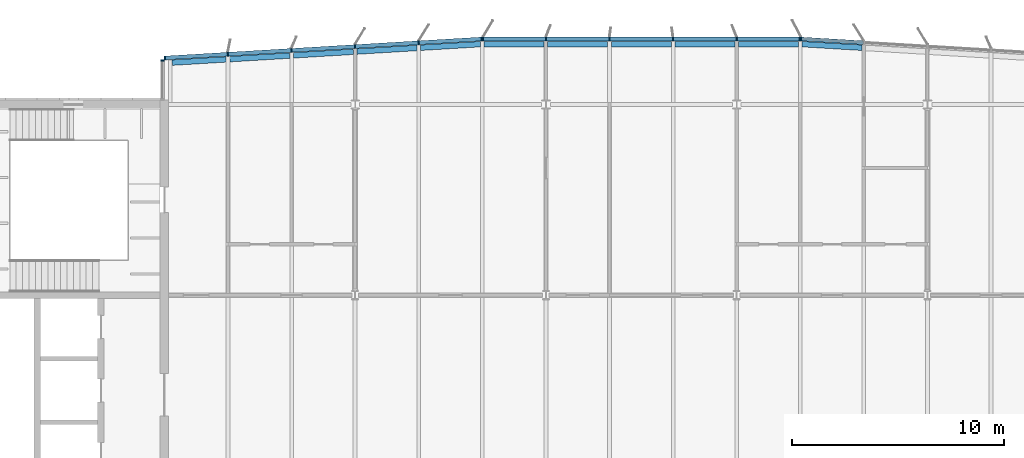
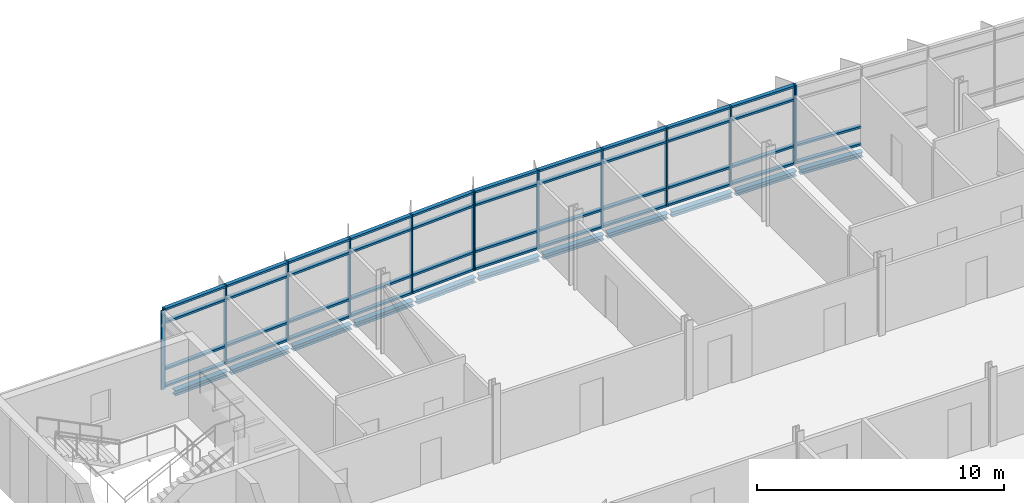
# One storey, part 8 of 18: 56 members, 11 beams, 4 elements without a shape of their own.
"""IFC4 building model written with IfcOpenShell, lengths in metres."""

from ifc_helpers import new_model, si_unit, direction, frame, origin, origin_2d, place, context, subcontext, project, spatial, rectangle, i_section, extrude, material, material_profile, profile_set, type_object, element, aggregate, save


model = new_model("IFC4")

# Units and contexts
model_context = context("Model", 3, precision=1e-05, world=origin(), true_north=direction((0.0, 1.0)))
body_context = subcontext(model_context, "Body", "Model", "MODEL_VIEW")
ifc_project = project(units=[si_unit("LENGTHUNIT", "METRE"), si_unit("AREAUNIT", "SQUARE_METRE"), si_unit("VOLUMEUNIT", "CUBIC_METRE"), si_unit("PLANEANGLEUNIT", "RADIAN"), si_unit("MASSUNIT", "GRAM", prefix="KILO")], contexts=[model_context])

# Site, building, storey
site_placement = place(None, origin())
site = spatial("IfcSite", under=ifc_project, at=site_placement, CompositionType="ELEMENT")
building_placement = place(site_placement, origin())
building = spatial("IfcBuilding", under=site, at=building_placement, Name="Azimuth Sports and Learning Centre", CompositionType="ELEMENT")
storey_placement = place(building_placement, frame((0.0, 0.0, 63.60009765625)))
storey = spatial("IfcBuildingStorey", under=building, at=storey_placement, Name="L14", CompositionType="ELEMENT", Elevation=63.60009765625)

# Beams
ifc_material_1 = material(Name="Steel S355", Category="steel")
ifc_material_profile_1 = material_profile(ifc_material_1, i_section(OverallWidth=0.260009765625, OverallDepth=0.25, WebThickness=0.007568359375, FlangeThickness=0.012451171875, FilletRadius=0.02392578125, at=origin_2d()), Name="HEA 260")
ifc_profile_set_1 = profile_set([ifc_material_profile_1], Name="Steel S355")
beam_type = type_object("IfcBeamType", Name="Edge beam HEA 260", PredefinedType="SPANDREL", material=ifc_profile_set_1)
beam_1_placement = place(storey_placement, frame((63.3701171875, 118.97216796875, -0.255126953125), z_axis=(0.998201638043, 0.05994572385, 0.0), x_axis=(-0.05994572385, 0.998201638043, 0.0)))
element("IfcBeam", 1, at=beam_1_placement, inside=storey, type_object=beam_type, Name="Tower edge beam", PredefinedType="SPANDREL", context=body_context, shape_type="SweptSolid", body=[
    extrude(i_section(OverallWidth=0.260009765625, OverallDepth=0.25, WebThickness=0.007568359375, FlangeThickness=0.012451171875, FilletRadius=0.02392578125, at=origin_2d()), origin(), (0.0, 0.0, 1.0), 2.549560546875),
])
for number, where, z_axis, x_axis, name in (
    (2, (66.0849609375, 119.135009765625, -0.255126953125), (0.998202373506, 0.059933475842, 0.0), (-0.059933475842, 0.998202373506, 0.0), "Tower edge beam"),
    (3, (69.0849609375, 119.315185546875, -0.255126953125), (0.998207521518, 0.059847673176, 0.0), (-0.059847673176, 0.998207521518, 0.0), "Tower edge beam"),
    (4, (72.0849609375, 119.4951171875, -0.255126953125), (0.998207521518, 0.059847673176, 0.0), (-0.059847673176, 0.998207521518, 0.0), "Tower edge beam"),
    (5, (75.0849609375, 119.675048828125, -0.255126953125), (0.998202373506, 0.059933475842, 0.0), (-0.059933475842, 0.998202373506, 0.0), "Tower edge beam"),
):
    element("IfcBeam", number, at=place(storey_placement, frame(where, z_axis=z_axis, x_axis=x_axis)), inside=storey, type_object=beam_type, Name=name, PredefinedType="SPANDREL", context=body_context, shape_type="SweptSolid", body=[
        extrude(i_section(OverallWidth=0.260009765625, OverallDepth=0.25, WebThickness=0.007568359375, FlangeThickness=0.012451171875, FilletRadius=0.02392578125, at=origin_2d()), origin(), (0.0, 0.0, 1.0), 2.835205078125),
    ])
for number, where, z_axis, x_axis, name in (
    (6, (78.0849609375, 119.85009765625, -0.255126953125), (1.0, 0.0, 0.0), (0.0, 1.0, 0.0), "Tower edge beam"),
    (7, (81.0849609375, 119.85009765625, -0.255126953125), (1.0, 0.0, 0.0), (0.0, 1.0, 0.0), "Tower edge beam"),
    (8, (84.0849609375, 119.85009765625, -0.255126953125), (1.0, 0.0, 0.0), (0.0, 1.0, 0.0), "Tower edge beam"),
    (9, (87.0849609375, 119.85009765625, -0.255126953125), (1.0, 0.0, 0.0), (0.0, 1.0, 0.0), "Tower edge beam"),
    (10, (90.0849609375, 119.85009765625, -0.255126953125), (1.0, 0.0, 0.0), (0.0, 1.0, 0.0), "Tower edge beam"),
):
    element("IfcBeam", number, at=place(storey_placement, frame(where, z_axis=z_axis, x_axis=x_axis)), inside=storey, type_object=beam_type, Name=name, PredefinedType="SPANDREL", context=body_context, shape_type="SweptSolid", body=[
        extrude(i_section(OverallWidth=0.260009765625, OverallDepth=0.25, WebThickness=0.007568359375, FlangeThickness=0.012451171875, FilletRadius=0.02392578125, at=origin_2d()), origin(), (0.0, 0.0, 1.0), 2.830078125),
    ])
beam_2_placement = place(storey_placement, frame((93.0849609375, 119.844970703125, -0.255126953125), z_axis=(0.998202373506, -0.059933475842, 0.0), x_axis=(0.059933475842, 0.998202373506, 0.0)))
element("IfcBeam", 11, at=beam_2_placement, inside=storey, type_object=beam_type, Name="Tower edge beam", PredefinedType="SPANDREL", context=body_context, shape_type="SweptSolid", body=[
    extrude(i_section(OverallWidth=0.260009765625, OverallDepth=0.25, WebThickness=0.007568359375, FlangeThickness=0.012451171875, FilletRadius=0.02392578125, at=origin_2d()), origin(), (0.0, 0.0, 1.0), 2.835205078125),
])

# Curtain wall, member
ifc_material_2 = material(Name="Aluminium and glass", Category="aluminium")
curtain_wall_type_1 = type_object("IfcCurtainWallType", Name="Curtain wall tower north 180", PredefinedType="NOTDEFINED", material=ifc_material_2)
curtain_wall_1_placement = place(storey_placement, origin())
curtain_wall_1 = element("IfcCurtainWall", 12, at=curtain_wall_1_placement, inside=storey, type_object=curtain_wall_type_1, Name="Curtain wall CW14-007", PredefinedType="NOTDEFINED")
ifc_material_3 = material(Name="Aluminium", Category="aluminium")
ifc_material_profile_2 = material_profile(ifc_material_3, rectangle(XDim=0.179931640625, YDim=0.06005859375, at=origin_2d()), Name="Mullion 60x180")
ifc_profile_set_2 = profile_set([ifc_material_profile_2], Name="Aluminium")
member_type_1 = type_object("IfcMemberType", Name="Mullion 60x180", PredefinedType="MULLION", material=ifc_profile_set_2)
member_1_placement = place(storey_placement, frame((93.035400390625, 120.088134765625, 0.0), z_axis=(0.0, 0.0, 1.0), x_axis=(-0.059891991812, -0.998204863401, 0.0)))
member_1 = element("IfcMember", 13, at=member_1_placement, type_object=member_type_1, Name="CW14-007 mullion 6", PredefinedType="MULLION", context=body_context, shape_type="SweptSolid", body=[
    extrude(rectangle(XDim=0.179931640625, YDim=0.06005859375, at=origin_2d()), origin(), (0.0, 0.0, 1.0), 3.89990234375),
])

# Curtain wall, members
curtain_wall_2_placement = place(storey_placement, origin())
curtain_wall_2 = element("IfcCurtainWall", 14, at=curtain_wall_2_placement, inside=storey, type_object=curtain_wall_type_1, Name="Curtain wall CW14-008", PredefinedType="NOTDEFINED")
member_2_placement = place(storey_placement, frame((92.975341796875, 120.090087890625, 0.0), z_axis=(0.0, 0.0, 1.0), x_axis=(0.0, -1.0, 0.0)))
member_2 = element("IfcMember", 15, at=member_2_placement, type_object=member_type_1, Name="CW14-008 mullion 1", PredefinedType="MULLION", context=body_context, shape_type="SweptSolid", body=[
    extrude(rectangle(XDim=0.179931640625, YDim=0.06005859375, at=origin_2d()), origin(), (0.0, 0.0, 1.0), 3.89990234375),
])
member_3_placement = place(storey_placement, frame((90.0, 120.090087890625, 0.0), z_axis=(0.0, 0.0, 1.0), x_axis=(0.0, -1.0, 0.0)))
member_3 = element("IfcMember", 16, at=member_3_placement, type_object=member_type_1, Name="CW14-008 mullion 2", PredefinedType="MULLION", context=body_context, shape_type="SweptSolid", body=[
    extrude(rectangle(XDim=0.179931640625, YDim=0.06005859375, at=origin_2d()), origin(), (0.0, 0.0, 1.0), 3.89990234375),
])
member_4_placement = place(storey_placement, frame((87.0, 120.090087890625, 0.0), z_axis=(0.0, 0.0, 1.0), x_axis=(0.0, -1.0, 0.0)))
member_4 = element("IfcMember", 17, at=member_4_placement, type_object=member_type_1, Name="CW14-008 mullion 3", PredefinedType="MULLION", context=body_context, shape_type="SweptSolid", body=[
    extrude(rectangle(XDim=0.179931640625, YDim=0.06005859375, at=origin_2d()), origin(), (0.0, 0.0, 1.0), 3.89990234375),
])
member_5_placement = place(storey_placement, frame((84.0, 120.090087890625, 0.0), z_axis=(0.0, 0.0, 1.0), x_axis=(0.0, -1.0, 0.0)))
member_5 = element("IfcMember", 18, at=member_5_placement, type_object=member_type_1, Name="CW14-008 mullion 4", PredefinedType="MULLION", context=body_context, shape_type="SweptSolid", body=[
    extrude(rectangle(XDim=0.179931640625, YDim=0.06005859375, at=origin_2d()), origin(), (0.0, 0.0, 1.0), 3.89990234375),
])
member_6_placement = place(storey_placement, frame((81.0, 120.090087890625, 0.0), z_axis=(0.0, 0.0, 1.0), x_axis=(0.0, -1.0, 0.0)))
member_6 = element("IfcMember", 19, at=member_6_placement, type_object=member_type_1, Name="CW14-008 mullion 5", PredefinedType="MULLION", context=body_context, shape_type="SweptSolid", body=[
    extrude(rectangle(XDim=0.179931640625, YDim=0.06005859375, at=origin_2d()), origin(), (0.0, 0.0, 1.0), 3.89990234375),
])
member_7_placement = place(storey_placement, frame((78.030029296875, 120.090087890625, 0.0), z_axis=(0.0, 0.0, 1.0), x_axis=(0.0, -1.0, 0.0)))
member_7 = element("IfcMember", 20, at=member_7_placement, type_object=member_type_1, Name="CW14-008 mullion 6", PredefinedType="MULLION", context=body_context, shape_type="SweptSolid", body=[
    extrude(rectangle(XDim=0.179931640625, YDim=0.06005859375, at=origin_2d()), origin(), (0.0, 0.0, 1.0), 3.89990234375),
])

curtain_wall_3_placement = place(storey_placement, origin())
curtain_wall_3 = element("IfcCurtainWall", 21, at=curtain_wall_3_placement, inside=storey, type_object=curtain_wall_type_1, Name="Curtain wall CW14-009", PredefinedType="NOTDEFINED")
member_8_placement = place(storey_placement, frame((77.969970703125, 120.08837890625, 0.0), z_axis=(0.0, 0.0, 1.0), x_axis=(0.059891991812, -0.998204863401, 0.0)))
member_8 = element("IfcMember", 22, at=member_8_placement, type_object=member_type_1, Name="CW14-009 mullion 1", PredefinedType="MULLION", context=body_context, shape_type="SweptSolid", body=[
    extrude(rectangle(XDim=0.179931640625, YDim=0.06005859375, at=origin_2d()), origin(), (0.0, 0.0, 1.0), 3.89990234375),
])
member_9_placement = place(storey_placement, frame((74.99462890625, 119.909912109375, 0.0), z_axis=(0.0, 0.0, 1.0), x_axis=(0.059891991812, -0.998204863401, 0.0)))
member_9 = element("IfcMember", 23, at=member_9_placement, type_object=member_type_1, Name="CW14-009 mullion 2", PredefinedType="MULLION", context=body_context, shape_type="SweptSolid", body=[
    extrude(rectangle(XDim=0.179931640625, YDim=0.06005859375, at=origin_2d()), origin(), (0.0, 0.0, 1.0), 3.89990234375),
])
member_10_placement = place(storey_placement, frame((71.99462890625, 119.729736328125, 0.0), z_axis=(0.0, 0.0, 1.0), x_axis=(0.059891991812, -0.998204863401, 0.0)))
member_10 = element("IfcMember", 24, at=member_10_placement, type_object=member_type_1, Name="CW14-009 mullion 3", PredefinedType="MULLION", context=body_context, shape_type="SweptSolid", body=[
    extrude(rectangle(XDim=0.179931640625, YDim=0.06005859375, at=origin_2d()), origin(), (0.0, 0.0, 1.0), 3.89990234375),
])
member_11_placement = place(storey_placement, frame((68.99462890625, 119.5498046875, 0.0), z_axis=(0.0, 0.0, 1.0), x_axis=(0.059891991812, -0.998204863401, 0.0)))
member_11 = element("IfcMember", 25, at=member_11_placement, type_object=member_type_1, Name="CW14-009 mullion 4", PredefinedType="MULLION", context=body_context, shape_type="SweptSolid", body=[
    extrude(rectangle(XDim=0.179931640625, YDim=0.06005859375, at=origin_2d()), origin(), (0.0, 0.0, 1.0), 3.89990234375),
])
member_12_placement = place(storey_placement, frame((65.99462890625, 119.369873046875, 0.0), z_axis=(0.0, 0.0, 1.0), x_axis=(0.059891991812, -0.998204863401, 0.0)))
member_12 = element("IfcMember", 26, at=member_12_placement, type_object=member_type_1, Name="CW14-009 mullion 5", PredefinedType="MULLION", context=body_context, shape_type="SweptSolid", body=[
    extrude(rectangle(XDim=0.179931640625, YDim=0.06005859375, at=origin_2d()), origin(), (0.0, 0.0, 1.0), 3.89990234375),
])
member_13_placement = place(storey_placement, frame((63.024658203125, 119.191650390625, 0.0), z_axis=(0.0, 0.0, 1.0), x_axis=(0.059891991812, -0.998204863401, 0.0)))
member_13 = element("IfcMember", 27, at=member_13_placement, type_object=member_type_1, Name="CW14-009 mullion 6", PredefinedType="MULLION", context=body_context, shape_type="SweptSolid", body=[
    extrude(rectangle(XDim=0.179931640625, YDim=0.06005859375, at=origin_2d()), origin(), (0.0, 0.0, 1.0), 3.89990234375),
])

# Curtain wall, member
ifc_material_4 = material(Name="Aluminium and glass", Category="aluminium")
curtain_wall_type_2 = type_object("IfcCurtainWallType", Name="Curtain wall tower return 180", PredefinedType="NOTDEFINED", material=ifc_material_4)
curtain_wall_4_placement = place(storey_placement, origin())
curtain_wall_4 = element("IfcCurtainWall", 28, at=curtain_wall_4_placement, inside=storey, type_object=curtain_wall_type_2, Name="Curtain wall CW14-010", PredefinedType="NOTDEFINED")
member_14_placement = place(storey_placement, frame((62.909912109375, 119.070068359375, 0.0), z_axis=(0.0, 0.0, 1.0), x_axis=(1.0, 0.0, 0.0)))
member_14 = element("IfcMember", 29, at=member_14_placement, type_object=member_type_1, Name="CW14-010 mullion 1", PredefinedType="MULLION", context=body_context, shape_type="SweptSolid", body=[
    extrude(rectangle(XDim=0.179931640625, YDim=0.06005859375, at=origin_2d()), origin(), (0.0, 0.0, 1.0), 3.89990234375),
])
aggregate(curtain_wall_4, [member_14])

# Member
ifc_material_5 = material(Name="Aluminium", Category="aluminium")
ifc_material_profile_3 = material_profile(ifc_material_5, rectangle(XDim=0.179931640625, YDim=0.10009765625, at=origin_2d()), Name="Transom 100x180")
ifc_profile_set_3 = profile_set([ifc_material_profile_3], Name="Aluminium")
member_type_2 = type_object("IfcMemberType", Name="Transom 100x180", PredefinedType="USERDEFINED", material=ifc_profile_set_3)
member_15_placement = place(storey_placement, frame((95.975341796875, 119.91162109375, 0.0498046875), z_axis=(-0.998205846627, 0.059875602377, 0.0), x_axis=(-0.059875602377, -0.998205846627, 0.0)))
member_15 = element("IfcMember", 30, at=member_15_placement, type_object=member_type_2, Name="CW14-007 transom 5.1", ObjectType="TRANSOM", PredefinedType="USERDEFINED", context=body_context, shape_type="SweptSolid", body=[
    extrude(rectangle(XDim=0.179931640625, YDim=0.10009765625, at=origin_2d()), origin(), (0.0, 0.0, 1.0), 2.915283203125),
])

member_16_placement = place(storey_placement, frame((95.975341796875, 119.91162109375, 0.89990234375), z_axis=(-0.998205846627, 0.059875602377, 0.0), x_axis=(-0.059875602377, -0.998205846627, 0.0)))
member_16 = element("IfcMember", 31, at=member_16_placement, type_object=member_type_2, Name="CW14-007 transom 5.2", ObjectType="TRANSOM", PredefinedType="USERDEFINED", context=body_context, shape_type="SweptSolid", body=[
    extrude(rectangle(XDim=0.179931640625, YDim=0.10009765625, at=origin_2d()), origin(), (0.0, 0.0, 1.0), 2.915283203125),
])

aggregate(curtain_wall_1, [member_1, member_15, member_16])

member_17_placement = place(storey_placement, frame((92.9453125, 120.090087890625, 0.0498046875), z_axis=(-1.0, 0.0, 0.0), x_axis=(0.0, -1.0, 0.0)))
member_17 = element("IfcMember", 32, at=member_17_placement, type_object=member_type_2, Name="CW14-008 transom 1.1", ObjectType="TRANSOM", PredefinedType="USERDEFINED", context=body_context, shape_type="SweptSolid", body=[
    extrude(rectangle(XDim=0.179931640625, YDim=0.10009765625, at=origin_2d()), origin(), (0.0, 0.0, 1.0), 2.915283203125),
])

member_18_placement = place(storey_placement, frame((92.9453125, 120.090087890625, 0.89990234375), z_axis=(-1.0, 0.0, 0.0), x_axis=(0.0, -1.0, 0.0)))
member_18 = element("IfcMember", 33, at=member_18_placement, type_object=member_type_2, Name="CW14-008 transom 1.2", ObjectType="TRANSOM", PredefinedType="USERDEFINED", context=body_context, shape_type="SweptSolid", body=[
    extrude(rectangle(XDim=0.179931640625, YDim=0.10009765625, at=origin_2d()), origin(), (0.0, 0.0, 1.0), 2.915283203125),
])

member_19_placement = place(storey_placement, frame((92.9453125, 120.090087890625, 3.199951171875), z_axis=(-1.0, 0.0, 0.0), x_axis=(0.0, -1.0, 0.0)))
member_19 = element("IfcMember", 34, at=member_19_placement, type_object=member_type_2, Name="CW14-008 transom 1.3", ObjectType="TRANSOM", PredefinedType="USERDEFINED", context=body_context, shape_type="SweptSolid", body=[
    extrude(rectangle(XDim=0.179931640625, YDim=0.10009765625, at=origin_2d()), origin(), (0.0, 0.0, 1.0), 2.915283203125),
])

member_20_placement = place(storey_placement, frame((92.9453125, 120.090087890625, 3.849853515625), z_axis=(-1.0, 0.0, 0.0), x_axis=(0.0, -1.0, 0.0)))
member_20 = element("IfcMember", 35, at=member_20_placement, type_object=member_type_2, Name="CW14-008 transom 1.4", ObjectType="TRANSOM", PredefinedType="USERDEFINED", context=body_context, shape_type="SweptSolid", body=[
    extrude(rectangle(XDim=0.179931640625, YDim=0.10009765625, at=origin_2d()), origin(), (0.0, 0.0, 1.0), 2.915283203125),
])

member_21_placement = place(storey_placement, frame((89.969970703125, 120.090087890625, 0.0498046875), z_axis=(-1.0, 0.0, 0.0), x_axis=(0.0, -1.0, 0.0)))
member_21 = element("IfcMember", 36, at=member_21_placement, type_object=member_type_2, Name="CW14-008 transom 2.1", ObjectType="TRANSOM", PredefinedType="USERDEFINED", context=body_context, shape_type="SweptSolid", body=[
    extrude(rectangle(XDim=0.179931640625, YDim=0.10009765625, at=origin_2d()), origin(), (0.0, 0.0, 1.0), 2.93994140625),
])

member_22_placement = place(storey_placement, frame((89.969970703125, 120.090087890625, 0.89990234375), z_axis=(-1.0, 0.0, 0.0), x_axis=(0.0, -1.0, 0.0)))
member_22 = element("IfcMember", 37, at=member_22_placement, type_object=member_type_2, Name="CW14-008 transom 2.2", ObjectType="TRANSOM", PredefinedType="USERDEFINED", context=body_context, shape_type="SweptSolid", body=[
    extrude(rectangle(XDim=0.179931640625, YDim=0.10009765625, at=origin_2d()), origin(), (0.0, 0.0, 1.0), 2.93994140625),
])

member_23_placement = place(storey_placement, frame((89.969970703125, 120.090087890625, 3.199951171875), z_axis=(-1.0, 0.0, 0.0), x_axis=(0.0, -1.0, 0.0)))
member_23 = element("IfcMember", 38, at=member_23_placement, type_object=member_type_2, Name="CW14-008 transom 2.3", ObjectType="TRANSOM", PredefinedType="USERDEFINED", context=body_context, shape_type="SweptSolid", body=[
    extrude(rectangle(XDim=0.179931640625, YDim=0.10009765625, at=origin_2d()), origin(), (0.0, 0.0, 1.0), 2.93994140625),
])

member_24_placement = place(storey_placement, frame((89.969970703125, 120.090087890625, 3.849853515625), z_axis=(-1.0, 0.0, 0.0), x_axis=(0.0, -1.0, 0.0)))
member_24 = element("IfcMember", 39, at=member_24_placement, type_object=member_type_2, Name="CW14-008 transom 2.4", ObjectType="TRANSOM", PredefinedType="USERDEFINED", context=body_context, shape_type="SweptSolid", body=[
    extrude(rectangle(XDim=0.179931640625, YDim=0.10009765625, at=origin_2d()), origin(), (0.0, 0.0, 1.0), 2.93994140625),
])

member_25_placement = place(storey_placement, frame((86.969970703125, 120.090087890625, 0.0498046875), z_axis=(-1.0, 0.0, 0.0), x_axis=(0.0, -1.0, 0.0)))
member_25 = element("IfcMember", 40, at=member_25_placement, type_object=member_type_2, Name="CW14-008 transom 3.1", ObjectType="TRANSOM", PredefinedType="USERDEFINED", context=body_context, shape_type="SweptSolid", body=[
    extrude(rectangle(XDim=0.179931640625, YDim=0.10009765625, at=origin_2d()), origin(), (0.0, 0.0, 1.0), 2.93994140625),
])

member_26_placement = place(storey_placement, frame((86.969970703125, 120.090087890625, 0.89990234375), z_axis=(-1.0, 0.0, 0.0), x_axis=(0.0, -1.0, 0.0)))
member_26 = element("IfcMember", 41, at=member_26_placement, type_object=member_type_2, Name="CW14-008 transom 3.2", ObjectType="TRANSOM", PredefinedType="USERDEFINED", context=body_context, shape_type="SweptSolid", body=[
    extrude(rectangle(XDim=0.179931640625, YDim=0.10009765625, at=origin_2d()), origin(), (0.0, 0.0, 1.0), 2.93994140625),
])

member_27_placement = place(storey_placement, frame((86.969970703125, 120.090087890625, 3.199951171875), z_axis=(-1.0, 0.0, 0.0), x_axis=(0.0, -1.0, 0.0)))
member_27 = element("IfcMember", 42, at=member_27_placement, type_object=member_type_2, Name="CW14-008 transom 3.3", ObjectType="TRANSOM", PredefinedType="USERDEFINED", context=body_context, shape_type="SweptSolid", body=[
    extrude(rectangle(XDim=0.179931640625, YDim=0.10009765625, at=origin_2d()), origin(), (0.0, 0.0, 1.0), 2.93994140625),
])

member_28_placement = place(storey_placement, frame((86.969970703125, 120.090087890625, 3.849853515625), z_axis=(-1.0, 0.0, 0.0), x_axis=(0.0, -1.0, 0.0)))
member_28 = element("IfcMember", 43, at=member_28_placement, type_object=member_type_2, Name="CW14-008 transom 3.4", ObjectType="TRANSOM", PredefinedType="USERDEFINED", context=body_context, shape_type="SweptSolid", body=[
    extrude(rectangle(XDim=0.179931640625, YDim=0.10009765625, at=origin_2d()), origin(), (0.0, 0.0, 1.0), 2.93994140625),
])

member_29_placement = place(storey_placement, frame((83.969970703125, 120.090087890625, 0.0498046875), z_axis=(-1.0, 0.0, 0.0), x_axis=(0.0, -1.0, 0.0)))
member_29 = element("IfcMember", 44, at=member_29_placement, type_object=member_type_2, Name="CW14-008 transom 4.1", ObjectType="TRANSOM", PredefinedType="USERDEFINED", context=body_context, shape_type="SweptSolid", body=[
    extrude(rectangle(XDim=0.179931640625, YDim=0.10009765625, at=origin_2d()), origin(), (0.0, 0.0, 1.0), 2.93994140625),
])

member_30_placement = place(storey_placement, frame((83.969970703125, 120.090087890625, 0.89990234375), z_axis=(-1.0, 0.0, 0.0), x_axis=(0.0, -1.0, 0.0)))
member_30 = element("IfcMember", 45, at=member_30_placement, type_object=member_type_2, Name="CW14-008 transom 4.2", ObjectType="TRANSOM", PredefinedType="USERDEFINED", context=body_context, shape_type="SweptSolid", body=[
    extrude(rectangle(XDim=0.179931640625, YDim=0.10009765625, at=origin_2d()), origin(), (0.0, 0.0, 1.0), 2.93994140625),
])

member_31_placement = place(storey_placement, frame((83.969970703125, 120.090087890625, 3.199951171875), z_axis=(-1.0, 0.0, 0.0), x_axis=(0.0, -1.0, 0.0)))
member_31 = element("IfcMember", 46, at=member_31_placement, type_object=member_type_2, Name="CW14-008 transom 4.3", ObjectType="TRANSOM", PredefinedType="USERDEFINED", context=body_context, shape_type="SweptSolid", body=[
    extrude(rectangle(XDim=0.179931640625, YDim=0.10009765625, at=origin_2d()), origin(), (0.0, 0.0, 1.0), 2.93994140625),
])

member_32_placement = place(storey_placement, frame((83.969970703125, 120.090087890625, 3.849853515625), z_axis=(-1.0, 0.0, 0.0), x_axis=(0.0, -1.0, 0.0)))
member_32 = element("IfcMember", 47, at=member_32_placement, type_object=member_type_2, Name="CW14-008 transom 4.4", ObjectType="TRANSOM", PredefinedType="USERDEFINED", context=body_context, shape_type="SweptSolid", body=[
    extrude(rectangle(XDim=0.179931640625, YDim=0.10009765625, at=origin_2d()), origin(), (0.0, 0.0, 1.0), 2.93994140625),
])

member_33_placement = place(storey_placement, frame((80.969970703125, 120.090087890625, 0.0498046875), z_axis=(-1.0, 0.0, 0.0), x_axis=(0.0, -1.0, 0.0)))
member_33 = element("IfcMember", 48, at=member_33_placement, type_object=member_type_2, Name="CW14-008 transom 5.1", ObjectType="TRANSOM", PredefinedType="USERDEFINED", context=body_context, shape_type="SweptSolid", body=[
    extrude(rectangle(XDim=0.179931640625, YDim=0.10009765625, at=origin_2d()), origin(), (0.0, 0.0, 1.0), 2.909912109375),
])

member_34_placement = place(storey_placement, frame((80.969970703125, 120.090087890625, 0.89990234375), z_axis=(-1.0, 0.0, 0.0), x_axis=(0.0, -1.0, 0.0)))
member_34 = element("IfcMember", 49, at=member_34_placement, type_object=member_type_2, Name="CW14-008 transom 5.2", ObjectType="TRANSOM", PredefinedType="USERDEFINED", context=body_context, shape_type="SweptSolid", body=[
    extrude(rectangle(XDim=0.179931640625, YDim=0.10009765625, at=origin_2d()), origin(), (0.0, 0.0, 1.0), 2.909912109375),
])

member_35_placement = place(storey_placement, frame((80.969970703125, 120.090087890625, 3.199951171875), z_axis=(-1.0, 0.0, 0.0), x_axis=(0.0, -1.0, 0.0)))
member_35 = element("IfcMember", 50, at=member_35_placement, type_object=member_type_2, Name="CW14-008 transom 5.3", ObjectType="TRANSOM", PredefinedType="USERDEFINED", context=body_context, shape_type="SweptSolid", body=[
    extrude(rectangle(XDim=0.179931640625, YDim=0.10009765625, at=origin_2d()), origin(), (0.0, 0.0, 1.0), 2.909912109375),
])

member_36_placement = place(storey_placement, frame((80.969970703125, 120.090087890625, 3.849853515625), z_axis=(-1.0, 0.0, 0.0), x_axis=(0.0, -1.0, 0.0)))
member_36 = element("IfcMember", 51, at=member_36_placement, type_object=member_type_2, Name="CW14-008 transom 5.4", ObjectType="TRANSOM", PredefinedType="USERDEFINED", context=body_context, shape_type="SweptSolid", body=[
    extrude(rectangle(XDim=0.179931640625, YDim=0.10009765625, at=origin_2d()), origin(), (0.0, 0.0, 1.0), 2.909912109375),
])

aggregate(curtain_wall_2, [member_2, member_3, member_4, member_5, member_6, member_7, member_17, member_18, member_19, member_20, member_21, member_22, member_23, member_24, member_25, member_26, member_27, member_28, member_29, member_30, member_31, member_32, member_33, member_34, member_35, member_36])

member_37_placement = place(storey_placement, frame((77.940185546875, 120.086669921875, 0.0498046875), z_axis=(-0.998202445979, -0.05993226878, 0.0), x_axis=(0.05993226878, -0.998202445979, 0.0)))
member_37 = element("IfcMember", 52, at=member_37_placement, type_object=member_type_2, Name="CW14-009 transom 1.1", ObjectType="TRANSOM", PredefinedType="USERDEFINED", context=body_context, shape_type="SweptSolid", body=[
    extrude(rectangle(XDim=0.179931640625, YDim=0.10009765625, at=origin_2d()), origin(), (0.0, 0.0, 1.0), 2.9208984375),
])

member_38_placement = place(storey_placement, frame((77.940185546875, 120.086669921875, 0.89990234375), z_axis=(-0.998202445979, -0.05993226878, 0.0), x_axis=(0.05993226878, -0.998202445979, 0.0)))
member_38 = element("IfcMember", 53, at=member_38_placement, type_object=member_type_2, Name="CW14-009 transom 1.2", ObjectType="TRANSOM", PredefinedType="USERDEFINED", context=body_context, shape_type="SweptSolid", body=[
    extrude(rectangle(XDim=0.179931640625, YDim=0.10009765625, at=origin_2d()), origin(), (0.0, 0.0, 1.0), 2.9208984375),
])

member_39_placement = place(storey_placement, frame((77.940185546875, 120.086669921875, 3.199951171875), z_axis=(-0.998202445979, -0.05993226878, 0.0), x_axis=(0.05993226878, -0.998202445979, 0.0)))
member_39 = element("IfcMember", 54, at=member_39_placement, type_object=member_type_2, Name="CW14-009 transom 1.3", ObjectType="TRANSOM", PredefinedType="USERDEFINED", context=body_context, shape_type="SweptSolid", body=[
    extrude(rectangle(XDim=0.179931640625, YDim=0.10009765625, at=origin_2d()), origin(), (0.0, 0.0, 1.0), 2.9208984375),
])

member_40_placement = place(storey_placement, frame((77.940185546875, 120.086669921875, 3.849853515625), z_axis=(-0.998202445979, -0.05993226878, 0.0), x_axis=(0.05993226878, -0.998202445979, 0.0)))
member_40 = element("IfcMember", 55, at=member_40_placement, type_object=member_type_2, Name="CW14-009 transom 1.4", ObjectType="TRANSOM", PredefinedType="USERDEFINED", context=body_context, shape_type="SweptSolid", body=[
    extrude(rectangle(XDim=0.179931640625, YDim=0.10009765625, at=origin_2d()), origin(), (0.0, 0.0, 1.0), 2.9208984375),
])

member_41_placement = place(storey_placement, frame((74.964599609375, 119.907958984375, 0.0498046875), z_axis=(-0.998207421552, -0.059849340505, 0.0), x_axis=(0.059849340505, -0.998207421552, 0.0)))
member_41 = element("IfcMember", 56, at=member_41_placement, type_object=member_type_2, Name="CW14-009 transom 2.1", ObjectType="TRANSOM", PredefinedType="USERDEFINED", context=body_context, shape_type="SweptSolid", body=[
    extrude(rectangle(XDim=0.179931640625, YDim=0.10009765625, at=origin_2d()), origin(), (0.0, 0.0, 1.0), 2.9453125),
])

member_42_placement = place(storey_placement, frame((74.964599609375, 119.907958984375, 0.89990234375), z_axis=(-0.998207421552, -0.059849340505, 0.0), x_axis=(0.059849340505, -0.998207421552, 0.0)))
member_42 = element("IfcMember", 57, at=member_42_placement, type_object=member_type_2, Name="CW14-009 transom 2.2", ObjectType="TRANSOM", PredefinedType="USERDEFINED", context=body_context, shape_type="SweptSolid", body=[
    extrude(rectangle(XDim=0.179931640625, YDim=0.10009765625, at=origin_2d()), origin(), (0.0, 0.0, 1.0), 2.9453125),
])

member_43_placement = place(storey_placement, frame((74.964599609375, 119.907958984375, 3.199951171875), z_axis=(-0.998207421552, -0.059849340505, 0.0), x_axis=(0.059849340505, -0.998207421552, 0.0)))
member_43 = element("IfcMember", 58, at=member_43_placement, type_object=member_type_2, Name="CW14-009 transom 2.3", ObjectType="TRANSOM", PredefinedType="USERDEFINED", context=body_context, shape_type="SweptSolid", body=[
    extrude(rectangle(XDim=0.179931640625, YDim=0.10009765625, at=origin_2d()), origin(), (0.0, 0.0, 1.0), 2.9453125),
])

member_44_placement = place(storey_placement, frame((74.964599609375, 119.907958984375, 3.849853515625), z_axis=(-0.998207421552, -0.059849340505, 0.0), x_axis=(0.059849340505, -0.998207421552, 0.0)))
member_44 = element("IfcMember", 59, at=member_44_placement, type_object=member_type_2, Name="CW14-009 transom 2.4", ObjectType="TRANSOM", PredefinedType="USERDEFINED", context=body_context, shape_type="SweptSolid", body=[
    extrude(rectangle(XDim=0.179931640625, YDim=0.10009765625, at=origin_2d()), origin(), (0.0, 0.0, 1.0), 2.9453125),
])

member_45_placement = place(storey_placement, frame((71.964599609375, 119.72802734375, 0.0498046875), z_axis=(-0.998207421552, -0.059849340505, 0.0), x_axis=(0.059849340505, -0.998207421552, 0.0)))
member_45 = element("IfcMember", 60, at=member_45_placement, type_object=member_type_2, Name="CW14-009 transom 3.1", ObjectType="TRANSOM", PredefinedType="USERDEFINED", context=body_context, shape_type="SweptSolid", body=[
    extrude(rectangle(XDim=0.179931640625, YDim=0.10009765625, at=origin_2d()), origin(), (0.0, 0.0, 1.0), 2.9453125),
])

member_46_placement = place(storey_placement, frame((71.964599609375, 119.72802734375, 0.89990234375), z_axis=(-0.998207421552, -0.059849340505, 0.0), x_axis=(0.059849340505, -0.998207421552, 0.0)))
member_46 = element("IfcMember", 61, at=member_46_placement, type_object=member_type_2, Name="CW14-009 transom 3.2", ObjectType="TRANSOM", PredefinedType="USERDEFINED", context=body_context, shape_type="SweptSolid", body=[
    extrude(rectangle(XDim=0.179931640625, YDim=0.10009765625, at=origin_2d()), origin(), (0.0, 0.0, 1.0), 2.9453125),
])

member_47_placement = place(storey_placement, frame((71.964599609375, 119.72802734375, 3.199951171875), z_axis=(-0.998207421552, -0.059849340505, 0.0), x_axis=(0.059849340505, -0.998207421552, 0.0)))
member_47 = element("IfcMember", 62, at=member_47_placement, type_object=member_type_2, Name="CW14-009 transom 3.3", ObjectType="TRANSOM", PredefinedType="USERDEFINED", context=body_context, shape_type="SweptSolid", body=[
    extrude(rectangle(XDim=0.179931640625, YDim=0.10009765625, at=origin_2d()), origin(), (0.0, 0.0, 1.0), 2.9453125),
])

member_48_placement = place(storey_placement, frame((71.964599609375, 119.72802734375, 3.849853515625), z_axis=(-0.998207421552, -0.059849340505, 0.0), x_axis=(0.059849340505, -0.998207421552, 0.0)))
member_48 = element("IfcMember", 63, at=member_48_placement, type_object=member_type_2, Name="CW14-009 transom 3.4", ObjectType="TRANSOM", PredefinedType="USERDEFINED", context=body_context, shape_type="SweptSolid", body=[
    extrude(rectangle(XDim=0.179931640625, YDim=0.10009765625, at=origin_2d()), origin(), (0.0, 0.0, 1.0), 2.9453125),
])

member_49_placement = place(storey_placement, frame((68.964599609375, 119.548095703125, 0.0498046875), z_axis=(-0.998202465912, -0.059931936792, 0.0), x_axis=(0.059931936792, -0.998202465912, 0.0)))
member_49 = element("IfcMember", 64, at=member_49_placement, type_object=member_type_2, Name="CW14-009 transom 4.1", ObjectType="TRANSOM", PredefinedType="USERDEFINED", context=body_context, shape_type="SweptSolid", body=[
    extrude(rectangle(XDim=0.179931640625, YDim=0.10009765625, at=origin_2d()), origin(), (0.0, 0.0, 1.0), 2.9453125),
])

member_50_placement = place(storey_placement, frame((68.964599609375, 119.548095703125, 0.89990234375), z_axis=(-0.998202465912, -0.059931936792, 0.0), x_axis=(0.059931936792, -0.998202465912, 0.0)))
member_50 = element("IfcMember", 65, at=member_50_placement, type_object=member_type_2, Name="CW14-009 transom 4.2", ObjectType="TRANSOM", PredefinedType="USERDEFINED", context=body_context, shape_type="SweptSolid", body=[
    extrude(rectangle(XDim=0.179931640625, YDim=0.10009765625, at=origin_2d()), origin(), (0.0, 0.0, 1.0), 2.9453125),
])

member_51_placement = place(storey_placement, frame((68.964599609375, 119.548095703125, 3.199951171875), z_axis=(-0.998202465912, -0.059931936792, 0.0), x_axis=(0.059931936792, -0.998202465912, 0.0)))
member_51 = element("IfcMember", 66, at=member_51_placement, type_object=member_type_2, Name="CW14-009 transom 4.3", ObjectType="TRANSOM", PredefinedType="USERDEFINED", context=body_context, shape_type="SweptSolid", body=[
    extrude(rectangle(XDim=0.179931640625, YDim=0.10009765625, at=origin_2d()), origin(), (0.0, 0.0, 1.0), 2.9453125),
])

member_52_placement = place(storey_placement, frame((68.964599609375, 119.548095703125, 3.849853515625), z_axis=(-0.998202465912, -0.059931936792, 0.0), x_axis=(0.059931936792, -0.998202465912, 0.0)))
member_52 = element("IfcMember", 67, at=member_52_placement, type_object=member_type_2, Name="CW14-009 transom 4.4", ObjectType="TRANSOM", PredefinedType="USERDEFINED", context=body_context, shape_type="SweptSolid", body=[
    extrude(rectangle(XDim=0.179931640625, YDim=0.10009765625, at=origin_2d()), origin(), (0.0, 0.0, 1.0), 2.9453125),
])

member_53_placement = place(storey_placement, frame((65.964599609375, 119.3681640625, 0.0498046875), z_axis=(-0.998200838052, -0.059959043628, 0.0), x_axis=(0.059959043628, -0.998200838052, 0.0)))
member_53 = element("IfcMember", 68, at=member_53_placement, type_object=member_type_2, Name="CW14-009 transom 5.1", ObjectType="TRANSOM", PredefinedType="USERDEFINED", context=body_context, shape_type="SweptSolid", body=[
    extrude(rectangle(XDim=0.179931640625, YDim=0.10009765625, at=origin_2d()), origin(), (0.0, 0.0, 1.0), 2.915283203125),
])

member_54_placement = place(storey_placement, frame((65.964599609375, 119.3681640625, 0.89990234375), z_axis=(-0.998200838052, -0.059959043628, 0.0), x_axis=(0.059959043628, -0.998200838052, 0.0)))
member_54 = element("IfcMember", 69, at=member_54_placement, type_object=member_type_2, Name="CW14-009 transom 5.2", ObjectType="TRANSOM", PredefinedType="USERDEFINED", context=body_context, shape_type="SweptSolid", body=[
    extrude(rectangle(XDim=0.179931640625, YDim=0.10009765625, at=origin_2d()), origin(), (0.0, 0.0, 1.0), 2.915283203125),
])

member_55_placement = place(storey_placement, frame((65.964599609375, 119.3681640625, 3.199951171875), z_axis=(-0.998200838052, -0.059959043628, 0.0), x_axis=(0.059959043628, -0.998200838052, 0.0)))
member_55 = element("IfcMember", 70, at=member_55_placement, type_object=member_type_2, Name="CW14-009 transom 5.3", ObjectType="TRANSOM", PredefinedType="USERDEFINED", context=body_context, shape_type="SweptSolid", body=[
    extrude(rectangle(XDim=0.179931640625, YDim=0.10009765625, at=origin_2d()), origin(), (0.0, 0.0, 1.0), 2.915283203125),
])

member_56_placement = place(storey_placement, frame((65.964599609375, 119.3681640625, 3.849853515625), z_axis=(-0.998200838052, -0.059959043628, 0.0), x_axis=(0.059959043628, -0.998200838052, 0.0)))
member_56 = element("IfcMember", 71, at=member_56_placement, type_object=member_type_2, Name="CW14-009 transom 5.4", ObjectType="TRANSOM", PredefinedType="USERDEFINED", context=body_context, shape_type="SweptSolid", body=[
    extrude(rectangle(XDim=0.179931640625, YDim=0.10009765625, at=origin_2d()), origin(), (0.0, 0.0, 1.0), 2.915283203125),
])

aggregate(curtain_wall_3, [member_8, member_9, member_10, member_11, member_12, member_13, member_37, member_38, member_39, member_40, member_41, member_42, member_43, member_44, member_45, member_46, member_47, member_48, member_49, member_50, member_51, member_52, member_53, member_54, member_55, member_56])

save(model, "model.ifc")
